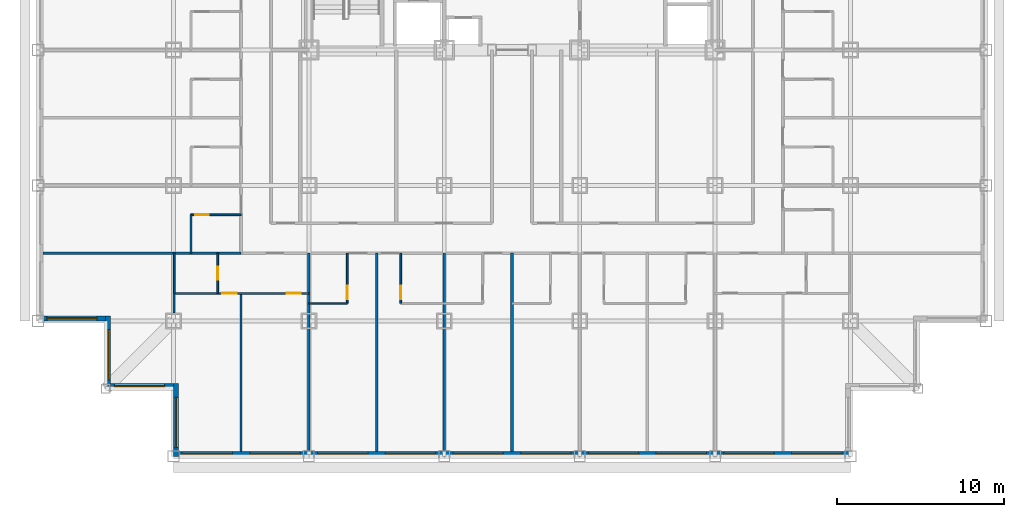
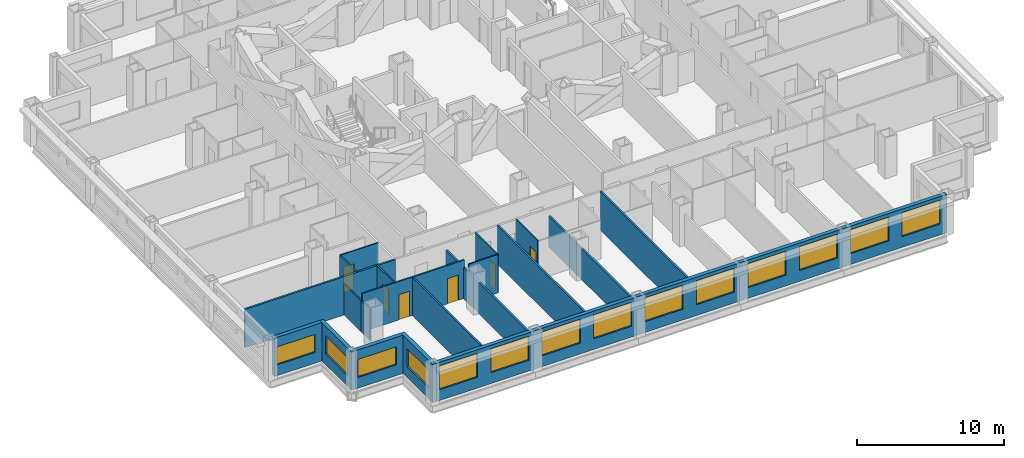
# One storey, part 3 of 11: 20 walls, 14 windows, 6 doors, 20 openings.
"""IFC4 building model written with IfcOpenShell, lengths in metres."""

import ifcopenshell
import ifcopenshell.guid

model = None  # the IFC model being written
_history = None  # IfcOwnerHistory: only IFC2X3 demands one
_inside = {}  # id of a spatial element -> (the spatial element, [elements in it])
_under = {}  # id of a project, library or spatial element -> (it, [spatial elements below it])
_declared = {}  # id of a project -> (the project, [libraries it declares])
_typed = {}  # id of a type object -> (the type object, [elements of that type])
_made_of = {}  # id of a material, layer set ... -> (it, [elements and type objects made of it])


def new_model(schema):
    """Start an empty IFC model of exactly this schema.

    Asked for "IFC4X3", IfcOpenShell would pick the latest addendum, in which some entities
    have other attributes; the version numbers below select the first issue.
    IFC2X3 requires an IfcOwnerHistory on every rooted entity: one is made here for all.
    """
    global model, _history
    if schema == "IFC4X3":
        model = ifcopenshell.file(schema_version=(4, 3, 0, 0))
    else:
        model = ifcopenshell.file(schema=schema)
    _inside.clear()
    _under.clear()
    _declared.clear()
    _typed.clear()
    _made_of.clear()
    _history = None
    if model.schema == "IFC2X3":
        org = make("IfcOrganization", Name="unknown")
        user = make(
            "IfcPersonAndOrganization",
            ThePerson=make("IfcPerson", FamilyName="unknown"),
            TheOrganization=org,
        )
        app = make(
            "IfcApplication",
            ApplicationDeveloper=org,
            Version="unknown",
            ApplicationFullName="unknown",
            ApplicationIdentifier="unknown",
        )
        _history = make(
            "IfcOwnerHistory",
            OwningUser=user,
            OwningApplication=app,
            ChangeAction="ADDED",
            CreationDate=0,
        )
    return model


def make(cls, **values):
    """One entity of the class cls with the attributes given. An attribute that is None is left unset."""
    return model.create_entity(
        cls, **{name: value for name, value in values.items() if value is not None}
    )


def rooted(cls, **values):
    """An entity with a GlobalId (a new one), such as an element, a storey or a relation."""
    return make(cls, GlobalId=ifcopenshell.guid.new(), OwnerHistory=_history, **values)


def si_unit(unit_type, name, prefix=None):
    """IfcSIUnit, for example si_unit("LENGTHUNIT", "METRE", prefix="MILLI")."""
    return make("IfcSIUnit", UnitType=unit_type, Prefix=prefix, Name=name)


def assignment(units):
    """IfcUnitAssignment: the units of a project."""
    return None if units is None else make("IfcUnitAssignment", Units=units)


def point(xyz):
    """IfcCartesianPoint."""
    return None if xyz is None else make("IfcCartesianPoint", Coordinates=xyz)


def direction(xyz):
    """IfcDirection."""
    return None if xyz is None else make("IfcDirection", DirectionRatios=xyz)


def frame(location, z_axis=None, x_axis=None):
    """IfcAxis2Placement3D, a coordinate frame: its origin and axes. An axis left out is left unset."""
    return make(
        "IfcAxis2Placement3D",
        Location=point(location),
        Axis=direction(z_axis),
        RefDirection=direction(x_axis),
    )


def frame_2d(location, x_axis=None):
    """IfcAxis2Placement2D, a coordinate frame in the plane: its origin and x axis."""
    return make(
        "IfcAxis2Placement2D", Location=point(location), RefDirection=direction(x_axis)
    )


def origin():
    """The frame at (0, 0, 0) with its axes left unset."""
    return frame((0.0, 0.0, 0.0))


def place(relative_to, where):
    """IfcLocalPlacement: puts the frame where relative to a parent placement (None: the world)."""
    return make(
        "IfcLocalPlacement", PlacementRelTo=relative_to, RelativePlacement=where
    )


def context(
    kind, dimensions, precision=None, world=None, true_north=None, identifier=None
):
    """IfcGeometricRepresentationContext, for example the 3D "Model" context."""
    return make(
        "IfcGeometricRepresentationContext",
        ContextIdentifier=identifier,
        ContextType=kind,
        CoordinateSpaceDimension=dimensions,
        Precision=precision,
        WorldCoordinateSystem=world,
        TrueNorth=true_north,
    )


def subcontext(parent, identifier, kind, view, scale=None):
    """IfcGeometricRepresentationSubContext, for example "Body" below "Model"."""
    return make(
        "IfcGeometricRepresentationSubContext",
        ContextIdentifier=identifier,
        ContextType=kind,
        ParentContext=parent,
        TargetScale=scale,
        TargetView=view,
    )


def project(units=None, contexts=None):
    """IfcProject with its units and contexts."""
    return rooted(
        "IfcProject",
        Name="project",
        RepresentationContexts=contexts,
        UnitsInContext=assignment(units),
    )


def spatial(cls, under=None, at=None, **own):
    """A site, building, storey or space (cls), placed at a placement, below another one or the project."""
    s = rooted(cls, ObjectPlacement=at, **own)
    if under is not None:
        _under.setdefault(under.id(), (under, []))[1].append(s)
    return s


def profile(cls, at=None, kind="AREA", **sizes):
    """A parametric profile (cls). Its sizes go by their IFC names, for example OverallWidth=200.0."""
    return make(cls, ProfileType=kind, Position=at, **sizes)


def rectangle(**sizes):
    """IfcRectangleProfileDef."""
    return profile("IfcRectangleProfileDef", **sizes)


def extrude(swept, where, along, depth):
    """IfcExtrudedAreaSolid: the profile swept, set in the frame where, extruded along a direction by depth."""
    return make(
        "IfcExtrudedAreaSolid",
        SweptArea=swept,
        Position=where,
        ExtrudedDirection=direction(along),
        Depth=depth,
    )


def shape(context_of_items, identifier, shape_type, items):
    """IfcShapeRepresentation: the items that make up one representation, for example the "Body"."""
    return make(
        "IfcShapeRepresentation",
        ContextOfItems=context_of_items,
        RepresentationIdentifier=identifier,
        RepresentationType=shape_type,
        Items=items,
    )


def material(Name=None, Category=None):
    """IfcMaterial."""
    return make("IfcMaterial", Name=Name, Category=Category)


def layer(
    of_material, thickness, ventilated=None, Name=None, Category=None, Priority=None
):
    """IfcMaterialLayer: one layer of a wall or slab, of a material (None: an air gap)."""
    return make(
        "IfcMaterialLayer",
        Material=of_material,
        LayerThickness=thickness,
        IsVentilated=ventilated,
        Name=Name,
        Category=Category,
        Priority=Priority,
    )


def layer_set(layers, Name=None):
    """IfcMaterialLayerSet."""
    return make("IfcMaterialLayerSet", MaterialLayers=layers, LayerSetName=Name)


def made_of(thing, what):
    """Note that an element or type object is made of a material, layer set ...; save() writes the relation."""
    if what is not None:
        _made_of.setdefault(what.id(), (what, []))[1].append(thing)
    return thing


def type_object(cls, material=None, **own):
    """A type object (cls), such as IfcWallType, which elements share."""
    return made_of(rooted(cls, **own), material)


def element(
    cls,
    number,
    at=None,
    inside=None,
    cuts=None,
    type_object=None,
    material=None,
    context=None,
    identifier="Body",
    shape_type=None,
    held_by="IfcProductDefinitionShape",
    body=None,
    shapes=None,
    **own,
):
    """One element of the class cls, such as IfcWall. Its Tag is "e" and its number.

    at: its placement. inside: the storey or other place that contains it. cuts: it is an
    opening in that element (IfcRelVoidsElement). A single representation is given by context,
    identifier, shape_type and body (its items); several are given by shapes. held_by: the class
    of the entity that holds the representations. save() writes the other relations.
    """
    e = rooted(cls, Tag="e%d" % number, ObjectPlacement=at, **own)
    if body is not None:
        shapes = [shape(context, identifier, shape_type, body)]
    if shapes is not None:
        e.Representation = make(held_by, Representations=shapes)
    if inside is not None:
        _inside.setdefault(inside.id(), (inside, []))[1].append(e)
    if cuts is not None:
        rooted(
            "IfcRelVoidsElement", RelatingBuildingElement=cuts, RelatedOpeningElement=e
        )
    if type_object is not None:
        _typed.setdefault(type_object.id(), (type_object, []))[1].append(e)
    return made_of(e, material)


def fill(opening, filler):
    """IfcRelFillsElement: the door or window that sits in an opening."""
    return rooted(
        "IfcRelFillsElement",
        RelatingOpeningElement=opening,
        RelatedBuildingElement=filler,
    )


def aggregate(whole, parts):
    """IfcRelAggregates: a whole, such as a stair, and the parts it consists of."""
    return rooted("IfcRelAggregates", RelatingObject=whole, RelatedObjects=parts)


def save(model, path):
    """Write the relations noted so far, then the file.

    IfcRelAggregates (storeys below a building ...), IfcRelContainedInSpatialStructure (elements
    in a storey), IfcRelDefinesByType, IfcRelAssociatesMaterial and IfcRelDeclares: one each for
    every whole, place, type object, material and project.
    """
    for whole, parts in _under.values():
        aggregate(whole, parts)
    for where, things in _inside.values():
        rooted(
            "IfcRelContainedInSpatialStructure",
            RelatedElements=things,
            RelatingStructure=where,
        )
    for kind, things in _typed.values():
        rooted("IfcRelDefinesByType", RelatedObjects=things, RelatingType=kind)
    for what, things in _made_of.values():
        rooted("IfcRelAssociatesMaterial", RelatedObjects=things, RelatingMaterial=what)
    for by, libraries in _declared.values():
        rooted("IfcRelDeclares", RelatingContext=by, RelatedDefinitions=libraries)
    model.write(path)


model = new_model("IFC4")

# Units and contexts
model_context = context("Model", 3, precision=1e-05, world=origin(), true_north=direction((0.0, 1.0)))
body_context = subcontext(model_context, "Body", "Model", "MODEL_VIEW")
ifc_project = project(units=[si_unit("LENGTHUNIT", "METRE"), si_unit("AREAUNIT", "SQUARE_METRE"), si_unit("VOLUMEUNIT", "CUBIC_METRE"), si_unit("PLANEANGLEUNIT", "RADIAN"), si_unit("MASSUNIT", "GRAM", prefix="KILO")], contexts=[model_context])

# Site, building, storey
site_placement = place(None, origin())
site = spatial("IfcSite", under=ifc_project, at=site_placement, CompositionType="ELEMENT")
building_placement = place(site_placement, origin())
building = spatial("IfcBuilding", under=site, at=building_placement, Name="Kopane Lantern Tower", CompositionType="ELEMENT")
storey_placement = place(building_placement, frame((0.0, 0.0, 56.800048828125)))
storey = spatial("IfcBuildingStorey", under=building, at=storey_placement, Name="L13", CompositionType="ELEMENT", Elevation=56.800048828125)

# Wall, openings, doors
ifc_material_1 = material(Name="Gypsum board on steel studs", Category="steel")
ifc_layer_1 = layer(ifc_material_1, 0.1201171875)
ifc_layer_set_1 = layer_set([ifc_layer_1], Name="APARTMENT INTERNAL WALL 120")
wall_type_1 = type_object("IfcWallType", Name="APARTMENT INTERNAL WALL 120", PredefinedType="PARTITIONING", material=ifc_layer_set_1)
wall_1_placement = place(storey_placement, frame((8.14990234375, 9.75, 0.0), z_axis=(0.0, 0.0, 1.0), x_axis=(1.0, 0.0, 0.0)))
wall_1 = element("IfcWall", 1, at=wall_1_placement, inside=storey, type_object=wall_type_1, Name="Apartment Internal Wall 120 L13", PredefinedType="PARTITIONING", context=body_context, shape_type="SweptSolid", body=[
    extrude(rectangle(XDim=8.050048828125, YDim=0.1201171875, at=frame_2d((4.02490234375, 0.0))), origin(), (0.0, 0.0, 1.0), 3.18994140625),
])
opening_1_placement = place(wall_1_placement, frame((6.72509765625, 0.0, 0.0)))
opening_1 = element("IfcOpeningElement", 2, at=opening_1_placement, cuts=wall_1, Name="Opening L13-063", PredefinedType="OPENING", context=body_context, shape_type="SweptSolid", body=[
    extrude(rectangle(XDim=0.85009765625, YDim=2.10009765625, at=frame_2d((0.425048828125, 1.050048828125))), frame((0.0, 0.070068359375, 0.0), z_axis=(0.0, -1.0, 0.0), x_axis=(1.0, 0.0, 0.0)), (0.0, 0.0, 1.0), 0.14013671875),
])
opening_2_placement = place(wall_1_placement, frame((2.875, 0.0, 0.0)))
opening_2 = element("IfcOpeningElement", 3, at=opening_2_placement, cuts=wall_1, Name="Opening L13-065", PredefinedType="OPENING", context=body_context, shape_type="SweptSolid", body=[
    extrude(rectangle(XDim=0.85009765625, YDim=2.10009765625, at=frame_2d((0.425048828125, 1.050048828125))), frame((0.0, 0.070068359375, 0.0), z_axis=(0.0, -1.0, 0.0), x_axis=(1.0, 0.0, 0.0)), (0.0, 0.0, 1.0), 0.14013671875),
])
ifc_material_2 = material(Name="Timber door set", Category="wood")
door_type_1 = type_object("IfcDoorType", Name="DOOR D4 850x2100", OperationType="SINGLE_SWING_LEFT", PredefinedType="DOOR", material=ifc_material_2)
door_1_placement = place(opening_1_placement, origin())
door_1 = element("IfcDoor", 4, at=door_1_placement, inside=storey, type_object=door_type_1, Name="Door L13-063", OperationType="SINGLE_SWING_RIGHT", OverallHeight=2.10009765625, OverallWidth=0.85009765625, PredefinedType="DOOR", context=body_context, shape_type="SweptSolid", body=[
    extrude(rectangle(XDim=0.85009765625, YDim=2.10009765625, at=frame_2d((0.425048828125, 1.050048828125))), frame((0.0, 0.02490234375, 0.0), z_axis=(0.0, -1.0, 0.0), x_axis=(1.0, 0.0, 0.0)), (0.0, 0.0, 1.0), 0.050048828125),
])
fill(opening_1, door_1)
door_2_placement = place(opening_2_placement, origin())
door_2 = element("IfcDoor", 5, at=door_2_placement, inside=storey, type_object=door_type_1, Name="Door L13-065", OperationType="SINGLE_SWING_LEFT", OverallHeight=2.10009765625, OverallWidth=0.85009765625, PredefinedType="DOOR", context=body_context, shape_type="SweptSolid", body=[
    extrude(rectangle(XDim=0.85009765625, YDim=2.10009765625, at=frame_2d((0.425048828125, 1.050048828125))), frame((0.0, 0.02490234375, 0.0), z_axis=(0.0, -1.0, 0.0), x_axis=(1.0, 0.0, 0.0)), (0.0, 0.0, 1.0), 0.050048828125),
])
fill(opening_2, door_2)

# Walls
wall_2_placement = place(storey_placement, frame((12.14990234375, 9.75, 0.0), z_axis=(0.0, 0.0, 1.0), x_axis=(0.0, -1.0, 0.0)))
element("IfcWall", 6, at=wall_2_placement, inside=storey, type_object=wall_type_1, Name="Apartment Internal Wall 120 L13", PredefinedType="PARTITIONING", context=body_context, shape_type="SweptSolid", body=[
    extrude(rectangle(XDim=9.449951171875, YDim=0.1201171875, at=frame_2d((4.72509765625, 0.0))), origin(), (0.0, 0.0, 1.0), 3.18994140625),
])
wall_3_placement = place(storey_placement, frame((8.14990234375, 9.75, 0.0), z_axis=(0.0, 0.0, 1.0), x_axis=(0.0, -1.0, 0.0)))
element("IfcWall", 7, at=wall_3_placement, inside=storey, type_object=wall_type_1, Name="Apartment Internal Wall 120 L13", PredefinedType="PARTITIONING", context=body_context, shape_type="SweptSolid", body=[
    extrude(rectangle(XDim=1.175048828125, YDim=0.1201171875, at=frame_2d((0.58740234375, 0.0))), origin(), (0.0, 0.0, 1.0), 2.57763671875),
])
ifc_material_3 = material(Name="Moisture-resistant board on steel studs", Category="steel")
ifc_layer_2 = layer(ifc_material_3, 0.10009765625)
ifc_layer_set_2 = layer_set([ifc_layer_2], Name="BATHROOM WALL 100")
wall_type_2 = type_object("IfcWallType", Name="BATHROOM WALL 100", PredefinedType="PARTITIONING", material=ifc_layer_set_2)
wall_4_placement = place(storey_placement, frame((16.199951171875, 9.14990234375, 0.0), z_axis=(0.0, 0.0, 1.0), x_axis=(1.0, 0.0, 0.0)))
element("IfcWall", 8, at=wall_4_placement, inside=storey, type_object=wall_type_2, Name="Bathroom Wall 100 L13", PredefinedType="PARTITIONING", context=body_context, shape_type="SweptSolid", body=[
    extrude(rectangle(XDim=2.300048828125, YDim=0.10009765625, at=frame_2d((1.14990234375, 0.0))), origin(), (0.0, 0.0, 1.0), 3.18994140625),
])

# Wall, opening, door
wall_5_placement = place(storey_placement, frame((18.5, 12.14990234375, 0.0), z_axis=(0.0, 0.0, 1.0), x_axis=(0.0, -1.0, 0.0)))
wall_5 = element("IfcWall", 9, at=wall_5_placement, inside=storey, type_object=wall_type_2, Name="Bathroom Wall 100 L13", PredefinedType="PARTITIONING", context=body_context, shape_type="SweptSolid", body=[
    extrude(rectangle(XDim=3.0, YDim=0.10009765625, at=frame_2d((1.5, 0.0))), origin(), (0.0, 0.0, 1.0), 3.18994140625),
])
opening_3_placement = place(wall_5_placement, frame((1.949951171875, 0.0, 0.0)))
opening_3 = element("IfcOpeningElement", 10, at=opening_3_placement, cuts=wall_5, Name="Opening L13-011", PredefinedType="OPENING", context=body_context, shape_type="SweptSolid", body=[
    extrude(rectangle(XDim=0.800048828125, YDim=2.10009765625, at=frame_2d((0.39990234375, 1.050048828125))), frame((0.0, 0.06005859375, 0.0), z_axis=(0.0, -1.0, 0.0), x_axis=(1.0, 0.0, 0.0)), (0.0, 0.0, 1.0), 0.1201171875),
])
ifc_material_4 = material(Name="Timber door set", Category="wood")
door_type_2 = type_object("IfcDoorType", Name="DOOR D2 800x2100", OperationType="SINGLE_SWING_LEFT", PredefinedType="DOOR", material=ifc_material_4)
door_3_placement = place(opening_3_placement, origin())
door_3 = element("IfcDoor", 11, at=door_3_placement, inside=storey, type_object=door_type_2, Name="Door L13-011", OperationType="SINGLE_SWING_LEFT", OverallHeight=2.10009765625, OverallWidth=0.800048828125, PredefinedType="DOOR", context=body_context, shape_type="SweptSolid", body=[
    extrude(rectangle(XDim=0.800048828125, YDim=2.10009765625, at=frame_2d((0.39990234375, 1.050048828125))), frame((0.0, 0.02490234375, 0.0), z_axis=(0.0, -1.0, 0.0), x_axis=(1.0, 0.0, 0.0)), (0.0, 0.0, 1.0), 0.050048828125),
])
fill(opening_3, door_3)

wall_6_placement = place(storey_placement, frame((21.699951171875, 12.14990234375, 0.0), z_axis=(0.0, 0.0, 1.0), x_axis=(0.0, -1.0, 0.0)))
wall_6 = element("IfcWall", 12, at=wall_6_placement, inside=storey, type_object=wall_type_2, Name="Bathroom Wall 100 L13", PredefinedType="PARTITIONING", context=body_context, shape_type="SweptSolid", body=[
    extrude(rectangle(XDim=3.0, YDim=0.10009765625, at=frame_2d((1.5, 0.0))), origin(), (0.0, 0.0, 1.0), 3.18994140625),
])
opening_4_placement = place(wall_6_placement, frame((1.949951171875, 0.0, 0.0)))
opening_4 = element("IfcOpeningElement", 13, at=opening_4_placement, cuts=wall_6, Name="Opening L13-013", PredefinedType="OPENING", context=body_context, shape_type="SweptSolid", body=[
    extrude(rectangle(XDim=0.800048828125, YDim=2.10009765625, at=frame_2d((0.39990234375, 1.050048828125))), frame((0.0, 0.06005859375, 0.0), z_axis=(0.0, -1.0, 0.0), x_axis=(1.0, 0.0, 0.0)), (0.0, 0.0, 1.0), 0.1201171875),
])
door_4_placement = place(opening_4_placement, origin())
door_4 = element("IfcDoor", 14, at=door_4_placement, inside=storey, type_object=door_type_2, Name="Door L13-013", OperationType="SINGLE_SWING_RIGHT", OverallHeight=2.10009765625, OverallWidth=0.800048828125, PredefinedType="DOOR", context=body_context, shape_type="SweptSolid", body=[
    extrude(rectangle(XDim=0.800048828125, YDim=2.10009765625, at=frame_2d((0.39990234375, 1.050048828125))), frame((0.0, 0.02490234375, 0.0), z_axis=(0.0, -1.0, 0.0), x_axis=(1.0, 0.0, 0.0)), (0.0, 0.0, 1.0), 0.050048828125),
])
fill(opening_4, door_4)

# Wall
wall_7_placement = place(storey_placement, frame((9.14990234375, 12.14990234375, 0.0), z_axis=(0.0, 0.0, 1.0), x_axis=(0.0, 1.0, 0.0)))
element("IfcWall", 15, at=wall_7_placement, inside=storey, type_object=wall_type_2, Name="Bathroom Wall 100 L13", PredefinedType="PARTITIONING", context=body_context, shape_type="SweptSolid", body=[
    extrude(rectangle(XDim=2.300048828125, YDim=0.10009765625, at=frame_2d((1.14990234375, 0.0))), origin(), (0.0, 0.0, 1.0), 3.18994140625),
])

# Wall, opening, door
wall_8_placement = place(storey_placement, frame((12.14990234375, 14.449951171875, 0.0), z_axis=(0.0, 0.0, 1.0), x_axis=(-1.0, 0.0, 0.0)))
wall_8 = element("IfcWall", 16, at=wall_8_placement, inside=storey, type_object=wall_type_2, Name="Bathroom Wall 100 L13", PredefinedType="PARTITIONING", context=body_context, shape_type="SweptSolid", body=[
    extrude(rectangle(XDim=3.0, YDim=0.10009765625, at=frame_2d((1.5, 0.0))), origin(), (0.0, 0.0, 1.0), 3.18994140625),
])
opening_5_placement = place(wall_8_placement, frame((1.949951171875, 0.0, 0.0)))
opening_5 = element("IfcOpeningElement", 17, at=opening_5_placement, cuts=wall_8, Name="Opening L13-035", PredefinedType="OPENING", context=body_context, shape_type="SweptSolid", body=[
    extrude(rectangle(XDim=0.800048828125, YDim=2.10009765625, at=frame_2d((0.39990234375, 1.050048828125))), frame((0.0, 0.06005859375, 0.0), z_axis=(0.0, -1.0, 0.0), x_axis=(1.0, 0.0, 0.0)), (0.0, 0.0, 1.0), 0.1201171875),
])
door_5_placement = place(opening_5_placement, origin())
door_5 = element("IfcDoor", 18, at=door_5_placement, inside=storey, type_object=door_type_2, Name="Door L13-035", OperationType="SINGLE_SWING_RIGHT", OverallHeight=2.10009765625, OverallWidth=0.800048828125, PredefinedType="DOOR", context=body_context, shape_type="SweptSolid", body=[
    extrude(rectangle(XDim=0.800048828125, YDim=2.10009765625, at=frame_2d((0.39990234375, 1.050048828125))), frame((0.0, 0.02490234375, 0.0), z_axis=(0.0, -1.0, 0.0), x_axis=(1.0, 0.0, 0.0)), (0.0, 0.0, 1.0), 0.050048828125),
])
fill(opening_5, door_5)

wall_9_placement = place(storey_placement, frame((10.75, 12.14990234375, 0.0), z_axis=(0.0, 0.0, 1.0), x_axis=(0.0, -1.0, 0.0)))
wall_9 = element("IfcWall", 19, at=wall_9_placement, inside=storey, type_object=wall_type_2, Name="Bathroom Wall 100 L13", PredefinedType="PARTITIONING", context=body_context, shape_type="SweptSolid", body=[
    extrude(rectangle(XDim=2.39990234375, YDim=0.10009765625, at=frame_2d((1.199951171875, 0.0))), origin(), (0.0, 0.0, 1.0), 3.18994140625),
])
opening_6_placement = place(wall_9_placement, frame((0.800048828125, 0.0, 0.0)))
opening_6 = element("IfcOpeningElement", 20, at=opening_6_placement, cuts=wall_9, Name="Opening L13-064", PredefinedType="OPENING", context=body_context, shape_type="SweptSolid", body=[
    extrude(rectangle(XDim=0.800048828125, YDim=2.10009765625, at=frame_2d((0.39990234375, 1.050048828125))), frame((0.0, 0.06005859375, 0.0), z_axis=(0.0, -1.0, 0.0), x_axis=(1.0, 0.0, 0.0)), (0.0, 0.0, 1.0), 0.1201171875),
])
door_6_placement = place(opening_6_placement, origin())
door_6 = element("IfcDoor", 21, at=door_6_placement, inside=storey, type_object=door_type_2, Name="Door L13-064", OperationType="SINGLE_SWING_RIGHT", OverallHeight=2.10009765625, OverallWidth=0.800048828125, PredefinedType="DOOR", context=body_context, shape_type="SweptSolid", body=[
    extrude(rectangle(XDim=0.800048828125, YDim=2.10009765625, at=frame_2d((0.39990234375, 1.050048828125))), frame((0.0, 0.02490234375, 0.0), z_axis=(0.0, -1.0, 0.0), x_axis=(1.0, 0.0, 0.0)), (0.0, 0.0, 1.0), 0.050048828125),
])
fill(opening_6, door_6)

# Walls
wall_10_placement = place(storey_placement, frame((8.14990234375, 12.14990234375, 0.0), z_axis=(0.0, 0.0, 1.0), x_axis=(0.0, -1.0, 0.0)))
element("IfcWall", 22, at=wall_10_placement, inside=storey, type_object=wall_type_2, Name="Bathroom Wall 100 L13", PredefinedType="PARTITIONING", context=body_context, shape_type="SweptSolid", body=[
    extrude(rectangle(XDim=2.39990234375, YDim=0.10009765625, at=frame_2d((1.199951171875, 0.0))), origin(), (0.0, 0.0, 1.0), 2.57763671875),
])
ifc_material_5 = material(Name="Gypsum board on steel studs", Category="steel")
ifc_layer_3 = layer(ifc_material_5, 0.14990234375)
ifc_layer_set_3 = layer_set([ifc_layer_3], Name="DEMISING WALL 150 EI 60")
wall_type_3 = type_object("IfcWallType", Name="DEMISING WALL 150 EI 60", PredefinedType="PARTITIONING", material=ifc_layer_set_3)
wall_11_placement = place(storey_placement, frame((20.25, 12.14990234375, 0.0), z_axis=(0.0, 0.0, 1.0), x_axis=(0.0, -1.0, 0.0)))
element("IfcWall", 23, at=wall_11_placement, inside=storey, type_object=wall_type_3, Name="Demising Wall 150 Ei 60 L13", PredefinedType="PARTITIONING", context=body_context, shape_type="SweptSolid", body=[
    extrude(rectangle(XDim=11.849853515625, YDim=0.14990234375, at=frame_2d((5.9248046875, 0.0))), origin(), (0.0, 0.0, 1.0), 3.18994140625),
])
wall_12_placement = place(storey_placement, frame((24.300048828125, 12.14990234375, 0.0), z_axis=(0.0, 0.0, 1.0), x_axis=(0.0, -1.0, 0.0)))
element("IfcWall", 24, at=wall_12_placement, inside=storey, type_object=wall_type_3, Name="Demising Wall 150 Ei 60 L13", PredefinedType="PARTITIONING", context=body_context, shape_type="SweptSolid", body=[
    extrude(rectangle(XDim=11.849853515625, YDim=0.14990234375, at=frame_2d((5.9248046875, 0.0))), origin(), (0.0, 0.0, 1.0), 2.57763671875),
])
for number, where, z_axis, x_axis, name in (
    (25, (28.35009765625, 12.14990234375, 0.0), (0.0, 0.0, 1.0), (0.0, -1.0, 0.0), "Demising Wall 150 Ei 60 L13"),
    (26, (0.300048828125, 12.14990234375, 0.0), (0.0, 0.0, 1.0), (1.0, 0.0, 0.0), "Demising Wall 150 Ei 60 L13"),
):
    element("IfcWall", number, at=place(storey_placement, frame(where, z_axis=z_axis, x_axis=x_axis)), inside=storey, type_object=wall_type_3, Name=name, PredefinedType="PARTITIONING", context=body_context, shape_type="SweptSolid", body=[
        extrude(rectangle(XDim=11.849853515625, YDim=0.14990234375, at=frame_2d((5.9248046875, 0.0))), origin(), (0.0, 0.0, 1.0), 3.18994140625),
    ])
wall_13_placement = place(storey_placement, frame((16.199951171875, 12.14990234375, 0.0), z_axis=(0.0, 0.0, 1.0), x_axis=(0.0, -1.0, 0.0)))
element("IfcWall", 27, at=wall_13_placement, inside=storey, type_object=wall_type_3, Name="Demising Wall 150 Ei 60 L13", PredefinedType="PARTITIONING", context=body_context, shape_type="SweptSolid", body=[
    extrude(rectangle(XDim=11.849853515625, YDim=0.14990234375, at=frame_2d((5.9248046875, 0.0))), origin(), (0.0, 0.0, 1.0), 2.57763671875),
])

# Wall, openings, windows
ifc_material_6 = material(Name="Terracotta rainscreen on light steel framing", Category="masonry")
ifc_layer_4 = layer(ifc_material_6, 0.300048828125)
ifc_layer_set_4 = layer_set([ifc_layer_4], Name="EXTERNAL WALL EW1 300 TERRACOTTA")
wall_type_4 = type_object("IfcWallType", Name="EXTERNAL WALL EW1 300 TERRACOTTA", PredefinedType="SOLIDWALL", material=ifc_layer_set_4)
wall_14_placement = place(storey_placement, frame((8.39990234375, 0.14990234375, 0.0), z_axis=(0.0, 0.0, 1.0), x_axis=(1.0, 0.0, 0.0)))
wall_14 = element("IfcWall", 28, at=wall_14_placement, inside=storey, type_object=wall_type_4, Name="External wall S L13", PredefinedType="SOLIDWALL", context=body_context, shape_type="SweptSolid", body=[
    extrude(rectangle(XDim=40.2001953125, YDim=0.300048828125, at=frame_2d((20.10009765625, 0.0))), origin(), (0.0, 0.0, 1.0), 3.18994140625),
])
opening_7_placement = place(wall_14_placement, frame((0.22509765625, 0.0, 0.89990234375)))
opening_7 = element("IfcOpeningElement", 29, at=opening_7_placement, cuts=wall_14, Name="Opening WR300200", PredefinedType="OPENING", context=body_context, shape_type="SweptSolid", body=[
    extrude(rectangle(XDim=3.0, YDim=2.0, at=frame_2d((1.5, 1.0))), frame((0.0, 0.159912109375, 0.0), z_axis=(0.0, -1.0, 0.0), x_axis=(1.0, 0.0, 0.0)), (0.0, 0.0, 1.0), 0.320068359375),
])
opening_8_placement = place(wall_14_placement, frame((4.27490234375, 0.0, 0.89990234375)))
opening_8 = element("IfcOpeningElement", 30, at=opening_8_placement, cuts=wall_14, Name="Opening WR300200", PredefinedType="OPENING", context=body_context, shape_type="SweptSolid", body=[
    extrude(rectangle(XDim=3.0, YDim=2.0, at=frame_2d((1.5, 1.0))), frame((0.0, 0.159912109375, 0.0), z_axis=(0.0, -1.0, 0.0), x_axis=(1.0, 0.0, 0.0)), (0.0, 0.0, 1.0), 0.320068359375),
])
opening_9_placement = place(wall_14_placement, frame((8.324951171875, 0.0, 0.89990234375)))
opening_9 = element("IfcOpeningElement", 31, at=opening_9_placement, cuts=wall_14, Name="Opening WR300200", PredefinedType="OPENING", context=body_context, shape_type="SweptSolid", body=[
    extrude(rectangle(XDim=3.0, YDim=2.0, at=frame_2d((1.5, 1.0))), frame((0.0, 0.159912109375, 0.0), z_axis=(0.0, -1.0, 0.0), x_axis=(1.0, 0.0, 0.0)), (0.0, 0.0, 1.0), 0.320068359375),
])
opening_10_placement = place(wall_14_placement, frame((12.375, 0.0, 0.89990234375)))
opening_10 = element("IfcOpeningElement", 32, at=opening_10_placement, cuts=wall_14, Name="Opening WR300200", PredefinedType="OPENING", context=body_context, shape_type="SweptSolid", body=[
    extrude(rectangle(XDim=3.0, YDim=2.0, at=frame_2d((1.5, 1.0))), frame((0.0, 0.159912109375, 0.0), z_axis=(0.0, -1.0, 0.0), x_axis=(1.0, 0.0, 0.0)), (0.0, 0.0, 1.0), 0.320068359375),
])
opening_11_placement = place(wall_14_placement, frame((16.425048828125, 0.0, 0.89990234375)))
opening_11 = element("IfcOpeningElement", 33, at=opening_11_placement, cuts=wall_14, Name="Opening WR300200", PredefinedType="OPENING", context=body_context, shape_type="SweptSolid", body=[
    extrude(rectangle(XDim=3.0, YDim=2.0, at=frame_2d((1.5, 1.0))), frame((0.0, 0.159912109375, 0.0), z_axis=(0.0, -1.0, 0.0), x_axis=(1.0, 0.0, 0.0)), (0.0, 0.0, 1.0), 0.320068359375),
])
opening_12_placement = place(wall_14_placement, frame((20.47509765625, 0.0, 0.89990234375)))
opening_12 = element("IfcOpeningElement", 34, at=opening_12_placement, cuts=wall_14, Name="Opening WR300200", PredefinedType="OPENING", context=body_context, shape_type="SweptSolid", body=[
    extrude(rectangle(XDim=3.0, YDim=2.0, at=frame_2d((1.5, 1.0))), frame((0.0, 0.159912109375, 0.0), z_axis=(0.0, -1.0, 0.0), x_axis=(1.0, 0.0, 0.0)), (0.0, 0.0, 1.0), 0.320068359375),
])
opening_13_placement = place(wall_14_placement, frame((24.52490234375, 0.0, 0.89990234375)))
opening_13 = element("IfcOpeningElement", 35, at=opening_13_placement, cuts=wall_14, Name="Opening WR300200", PredefinedType="OPENING", context=body_context, shape_type="SweptSolid", body=[
    extrude(rectangle(XDim=3.0, YDim=2.0, at=frame_2d((1.5, 1.0))), frame((0.0, 0.159912109375, 0.0), z_axis=(0.0, -1.0, 0.0), x_axis=(1.0, 0.0, 0.0)), (0.0, 0.0, 1.0), 0.320068359375),
])
opening_14_placement = place(wall_14_placement, frame((28.574951171875, 0.0, 0.89990234375)))
opening_14 = element("IfcOpeningElement", 36, at=opening_14_placement, cuts=wall_14, Name="Opening WR300200", PredefinedType="OPENING", context=body_context, shape_type="SweptSolid", body=[
    extrude(rectangle(XDim=3.0, YDim=2.0, at=frame_2d((1.5, 1.0))), frame((0.0, 0.159912109375, 0.0), z_axis=(0.0, -1.0, 0.0), x_axis=(1.0, 0.0, 0.0)), (0.0, 0.0, 1.0), 0.320068359375),
])
opening_15_placement = place(wall_14_placement, frame((32.625, 0.0, 0.89990234375)))
opening_15 = element("IfcOpeningElement", 37, at=opening_15_placement, cuts=wall_14, Name="Opening WR300200", PredefinedType="OPENING", context=body_context, shape_type="SweptSolid", body=[
    extrude(rectangle(XDim=3.0, YDim=2.0, at=frame_2d((1.5, 1.0))), frame((0.0, 0.159912109375, 0.0), z_axis=(0.0, -1.0, 0.0), x_axis=(1.0, 0.0, 0.0)), (0.0, 0.0, 1.0), 0.320068359375),
])
opening_16_placement = place(wall_14_placement, frame((36.675048828125, 0.0, 0.89990234375)))
opening_16 = element("IfcOpeningElement", 38, at=opening_16_placement, cuts=wall_14, Name="Opening WR300200", PredefinedType="OPENING", context=body_context, shape_type="SweptSolid", body=[
    extrude(rectangle(XDim=3.0, YDim=2.0, at=frame_2d((1.5, 1.0))), frame((0.0, 0.159912109375, 0.0), z_axis=(0.0, -1.0, 0.0), x_axis=(1.0, 0.0, 0.0)), (0.0, 0.0, 1.0), 0.320068359375),
])
ifc_material_7 = material(Name="Aluminium and clear glass", Category="aluminium")
window_type_1 = type_object("IfcWindowType", Name="RIBBON WINDOW WR300200 3000x2000", PartitioningType="SINGLE_PANEL", PredefinedType="WINDOW", material=ifc_material_7)
window_1_placement = place(opening_7_placement, origin())
window_1 = element("IfcWindow", 39, at=window_1_placement, inside=storey, type_object=window_type_1, Name="Window S L13", OverallHeight=2.0, OverallWidth=3.0, PartitioningType="SINGLE_PANEL", PredefinedType="WINDOW", context=body_context, shape_type="SweptSolid", body=[
    extrude(rectangle(XDim=3.0, YDim=2.0, at=frame_2d((1.5, 1.0))), frame((0.0, 0.030029296875, 0.0), z_axis=(0.0, -1.0, 0.0), x_axis=(1.0, 0.0, 0.0)), (0.0, 0.0, 1.0), 0.06005859375),
])
fill(opening_7, window_1)
window_2_placement = place(opening_8_placement, origin())
window_2 = element("IfcWindow", 40, at=window_2_placement, inside=storey, type_object=window_type_1, Name="Window S L13", OverallHeight=2.0, OverallWidth=3.0, PartitioningType="SINGLE_PANEL", PredefinedType="WINDOW", context=body_context, shape_type="SweptSolid", body=[
    extrude(rectangle(XDim=3.0, YDim=2.0, at=frame_2d((1.5, 1.0))), frame((0.0, 0.030029296875, 0.0), z_axis=(0.0, -1.0, 0.0), x_axis=(1.0, 0.0, 0.0)), (0.0, 0.0, 1.0), 0.06005859375),
])
fill(opening_8, window_2)
window_3_placement = place(opening_9_placement, origin())
window_3 = element("IfcWindow", 41, at=window_3_placement, inside=storey, type_object=window_type_1, Name="Window S L13", OverallHeight=2.0, OverallWidth=3.0, PartitioningType="SINGLE_PANEL", PredefinedType="WINDOW", context=body_context, shape_type="SweptSolid", body=[
    extrude(rectangle(XDim=3.0, YDim=2.0, at=frame_2d((1.5, 1.0))), frame((0.0, 0.030029296875, 0.0), z_axis=(0.0, -1.0, 0.0), x_axis=(1.0, 0.0, 0.0)), (0.0, 0.0, 1.0), 0.06005859375),
])
fill(opening_9, window_3)
window_4_placement = place(opening_10_placement, origin())
window_4 = element("IfcWindow", 42, at=window_4_placement, inside=storey, type_object=window_type_1, Name="Window S L13", OverallHeight=2.0, OverallWidth=3.0, PartitioningType="SINGLE_PANEL", PredefinedType="WINDOW", context=body_context, shape_type="SweptSolid", body=[
    extrude(rectangle(XDim=3.0, YDim=2.0, at=frame_2d((1.5, 1.0))), frame((0.0, 0.030029296875, 0.0), z_axis=(0.0, -1.0, 0.0), x_axis=(1.0, 0.0, 0.0)), (0.0, 0.0, 1.0), 0.06005859375),
])
fill(opening_10, window_4)
window_5_placement = place(opening_11_placement, origin())
window_5 = element("IfcWindow", 43, at=window_5_placement, inside=storey, type_object=window_type_1, Name="Window S L13", OverallHeight=2.0, OverallWidth=3.0, PartitioningType="SINGLE_PANEL", PredefinedType="WINDOW", context=body_context, shape_type="SweptSolid", body=[
    extrude(rectangle(XDim=3.0, YDim=2.0, at=frame_2d((1.5, 1.0))), frame((0.0, 0.030029296875, 0.0), z_axis=(0.0, -1.0, 0.0), x_axis=(1.0, 0.0, 0.0)), (0.0, 0.0, 1.0), 0.06005859375),
])
fill(opening_11, window_5)
window_6_placement = place(opening_12_placement, origin())
window_6 = element("IfcWindow", 44, at=window_6_placement, inside=storey, type_object=window_type_1, Name="Window S L13", OverallHeight=2.0, OverallWidth=3.0, PartitioningType="SINGLE_PANEL", PredefinedType="WINDOW", context=body_context, shape_type="SweptSolid", body=[
    extrude(rectangle(XDim=3.0, YDim=2.0, at=frame_2d((1.5, 1.0))), frame((0.0, 0.030029296875, 0.0), z_axis=(0.0, -1.0, 0.0), x_axis=(1.0, 0.0, 0.0)), (0.0, 0.0, 1.0), 0.06005859375),
])
fill(opening_12, window_6)
window_7_placement = place(opening_13_placement, origin())
window_7 = element("IfcWindow", 45, at=window_7_placement, inside=storey, type_object=window_type_1, Name="Window S L13", OverallHeight=2.0, OverallWidth=3.0, PartitioningType="SINGLE_PANEL", PredefinedType="WINDOW", context=body_context, shape_type="SweptSolid", body=[
    extrude(rectangle(XDim=3.0, YDim=2.0, at=frame_2d((1.5, 1.0))), frame((0.0, 0.030029296875, 0.0), z_axis=(0.0, -1.0, 0.0), x_axis=(1.0, 0.0, 0.0)), (0.0, 0.0, 1.0), 0.06005859375),
])
fill(opening_13, window_7)
window_8_placement = place(opening_14_placement, origin())
window_8 = element("IfcWindow", 46, at=window_8_placement, inside=storey, type_object=window_type_1, Name="Window S L13", OverallHeight=2.0, OverallWidth=3.0, PartitioningType="SINGLE_PANEL", PredefinedType="WINDOW", context=body_context, shape_type="SweptSolid", body=[
    extrude(rectangle(XDim=3.0, YDim=2.0, at=frame_2d((1.5, 1.0))), frame((0.0, 0.030029296875, 0.0), z_axis=(0.0, -1.0, 0.0), x_axis=(1.0, 0.0, 0.0)), (0.0, 0.0, 1.0), 0.06005859375),
])
fill(opening_14, window_8)
window_9_placement = place(opening_15_placement, origin())
window_9 = element("IfcWindow", 47, at=window_9_placement, inside=storey, type_object=window_type_1, Name="Window S L13", OverallHeight=2.0, OverallWidth=3.0, PartitioningType="SINGLE_PANEL", PredefinedType="WINDOW", context=body_context, shape_type="SweptSolid", body=[
    extrude(rectangle(XDim=3.0, YDim=2.0, at=frame_2d((1.5, 1.0))), frame((0.0, 0.030029296875, 0.0), z_axis=(0.0, -1.0, 0.0), x_axis=(1.0, 0.0, 0.0)), (0.0, 0.0, 1.0), 0.06005859375),
])
fill(opening_15, window_9)
window_10_placement = place(opening_16_placement, origin())
window_10 = element("IfcWindow", 48, at=window_10_placement, inside=storey, type_object=window_type_1, Name="Window S L13", OverallHeight=2.0, OverallWidth=3.0, PartitioningType="SINGLE_PANEL", PredefinedType="WINDOW", context=body_context, shape_type="SweptSolid", body=[
    extrude(rectangle(XDim=3.0, YDim=2.0, at=frame_2d((1.5, 1.0))), frame((0.0, 0.030029296875, 0.0), z_axis=(0.0, -1.0, 0.0), x_axis=(1.0, 0.0, 0.0)), (0.0, 0.0, 1.0), 0.06005859375),
])
fill(opening_16, window_10)

# Wall, opening, window
wall_15_placement = place(storey_placement, frame((0.300048828125, 8.25, 0.0), z_axis=(0.0, 0.0, 1.0), x_axis=(1.0, 0.0, 0.0)))
wall_15 = element("IfcWall", 49, at=wall_15_placement, inside=storey, type_object=wall_type_4, Name="External wall S L13", PredefinedType="SOLIDWALL", context=body_context, shape_type="SweptSolid", body=[
    extrude(rectangle(XDim=3.75, YDim=0.300048828125, at=frame_2d((1.875, 0.0))), origin(), (0.0, 0.0, 1.0), 3.18994140625),
])
opening_17_placement = place(wall_15_placement, frame((0.22509765625, 0.0, 0.89990234375)))
opening_17 = element("IfcOpeningElement", 50, at=opening_17_placement, cuts=wall_15, Name="Opening WR300150", PredefinedType="OPENING", context=body_context, shape_type="SweptSolid", body=[
    extrude(rectangle(XDim=3.0, YDim=1.5, at=frame_2d((1.5, 0.75))), frame((0.0, 0.159912109375, 0.0), z_axis=(0.0, -1.0, 0.0), x_axis=(1.0, 0.0, 0.0)), (0.0, 0.0, 1.0), 0.320068359375),
])
ifc_material_8 = material(Name="Aluminium and clear glass", Category="aluminium")
window_type_2 = type_object("IfcWindowType", Name="RIBBON WINDOW WR300150 3000x1500", PartitioningType="SINGLE_PANEL", PredefinedType="WINDOW", material=ifc_material_8)
window_11_placement = place(opening_17_placement, origin())
window_11 = element("IfcWindow", 51, at=window_11_placement, inside=storey, type_object=window_type_2, Name="Window S L13", OverallHeight=1.5, OverallWidth=3.0, PartitioningType="SINGLE_PANEL", PredefinedType="WINDOW", context=body_context, shape_type="SweptSolid", body=[
    extrude(rectangle(XDim=3.0, YDim=1.5, at=frame_2d((1.5, 0.75))), frame((0.0, 0.030029296875, 0.0), z_axis=(0.0, -1.0, 0.0), x_axis=(1.0, 0.0, 0.0)), (0.0, 0.0, 1.0), 0.06005859375),
])
fill(opening_17, window_11)

wall_16_placement = place(storey_placement, frame((4.199951171875, 8.39990234375, 0.0), z_axis=(0.0, 0.0, 1.0), x_axis=(0.0, -1.0, 0.0)))
wall_16 = element("IfcWall", 52, at=wall_16_placement, inside=storey, type_object=wall_type_4, Name="External wall W L13", PredefinedType="SOLIDWALL", context=body_context, shape_type="SweptSolid", body=[
    extrude(rectangle(XDim=4.349853515625, YDim=0.300048828125, at=frame_2d((2.1748046875, 0.0))), origin(), (0.0, 0.0, 1.0), 3.18994140625),
])
opening_18_placement = place(wall_16_placement, frame((0.824951171875, 0.0, 0.89990234375)))
opening_18 = element("IfcOpeningElement", 53, at=opening_18_placement, cuts=wall_16, Name="Opening WR300150", PredefinedType="OPENING", context=body_context, shape_type="SweptSolid", body=[
    extrude(rectangle(XDim=3.0, YDim=1.5, at=frame_2d((1.5, 0.75))), frame((0.0, 0.159912109375, 0.0), z_axis=(0.0, -1.0, 0.0), x_axis=(1.0, 0.0, 0.0)), (0.0, 0.0, 1.0), 0.320068359375),
])
window_12_placement = place(opening_18_placement, origin())
window_12 = element("IfcWindow", 54, at=window_12_placement, inside=storey, type_object=window_type_2, Name="Window W L13", OverallHeight=1.5, OverallWidth=3.0, PartitioningType="SINGLE_PANEL", PredefinedType="WINDOW", context=body_context, shape_type="SweptSolid", body=[
    extrude(rectangle(XDim=3.0, YDim=1.5, at=frame_2d((1.5, 0.75))), frame((0.0, 0.030029296875, 0.0), z_axis=(0.0, -1.0, 0.0), x_axis=(1.0, 0.0, 0.0)), (0.0, 0.0, 1.0), 0.06005859375),
])
fill(opening_18, window_12)

wall_17_placement = place(storey_placement, frame((4.35009765625, 4.199951171875, 0.0), z_axis=(0.0, 0.0, 1.0), x_axis=(1.0, 0.0, 0.0)))
wall_17 = element("IfcWall", 55, at=wall_17_placement, inside=storey, type_object=wall_type_4, Name="External wall S L13", PredefinedType="SOLIDWALL", context=body_context, shape_type="SweptSolid", body=[
    extrude(rectangle(XDim=3.75, YDim=0.300048828125, at=frame_2d((1.875, 0.0))), origin(), (0.0, 0.0, 1.0), 3.18994140625),
])
opening_19_placement = place(wall_17_placement, frame((0.22509765625, 0.0, 0.89990234375)))
opening_19 = element("IfcOpeningElement", 56, at=opening_19_placement, cuts=wall_17, Name="Opening WR300150", PredefinedType="OPENING", context=body_context, shape_type="SweptSolid", body=[
    extrude(rectangle(XDim=3.0, YDim=1.5, at=frame_2d((1.5, 0.75))), frame((0.0, 0.159912109375, 0.0), z_axis=(0.0, -1.0, 0.0), x_axis=(1.0, 0.0, 0.0)), (0.0, 0.0, 1.0), 0.320068359375),
])
window_13_placement = place(opening_19_placement, origin())
window_13 = element("IfcWindow", 57, at=window_13_placement, inside=storey, type_object=window_type_2, Name="Window S L13", OverallHeight=1.5, OverallWidth=3.0, PartitioningType="SINGLE_PANEL", PredefinedType="WINDOW", context=body_context, shape_type="SweptSolid", body=[
    extrude(rectangle(XDim=3.0, YDim=1.5, at=frame_2d((1.5, 0.75))), frame((0.0, 0.030029296875, 0.0), z_axis=(0.0, -1.0, 0.0), x_axis=(1.0, 0.0, 0.0)), (0.0, 0.0, 1.0), 0.06005859375),
])
fill(opening_19, window_13)

wall_18_placement = place(storey_placement, frame((8.25, 4.35009765625, 0.0), z_axis=(0.0, 0.0, 1.0), x_axis=(0.0, -1.0, 0.0)))
wall_18 = element("IfcWall", 58, at=wall_18_placement, inside=storey, type_object=wall_type_4, Name="External wall W L13", PredefinedType="SOLIDWALL", context=body_context, shape_type="SweptSolid", body=[
    extrude(rectangle(XDim=4.35009765625, YDim=0.300048828125, at=frame_2d((2.175048828125, 0.0))), origin(), (0.0, 0.0, 1.0), 3.18994140625),
])
opening_20_placement = place(wall_18_placement, frame((0.824951171875, 0.0, 0.89990234375)))
opening_20 = element("IfcOpeningElement", 59, at=opening_20_placement, cuts=wall_18, Name="Opening WR300150", PredefinedType="OPENING", context=body_context, shape_type="SweptSolid", body=[
    extrude(rectangle(XDim=3.0, YDim=1.5, at=frame_2d((1.5, 0.75))), frame((0.0, 0.159912109375, 0.0), z_axis=(0.0, -1.0, 0.0), x_axis=(1.0, 0.0, 0.0)), (0.0, 0.0, 1.0), 0.320068359375),
])
window_14_placement = place(opening_20_placement, origin())
window_14 = element("IfcWindow", 60, at=window_14_placement, inside=storey, type_object=window_type_2, Name="Window W L13", OverallHeight=1.5, OverallWidth=3.0, PartitioningType="SINGLE_PANEL", PredefinedType="WINDOW", context=body_context, shape_type="SweptSolid", body=[
    extrude(rectangle(XDim=3.0, YDim=1.5, at=frame_2d((1.5, 0.75))), frame((0.0, 0.030029296875, 0.0), z_axis=(0.0, -1.0, 0.0), x_axis=(1.0, 0.0, 0.0)), (0.0, 0.0, 1.0), 0.06005859375),
])
fill(opening_20, window_14)

save(model, "model.ifc")
